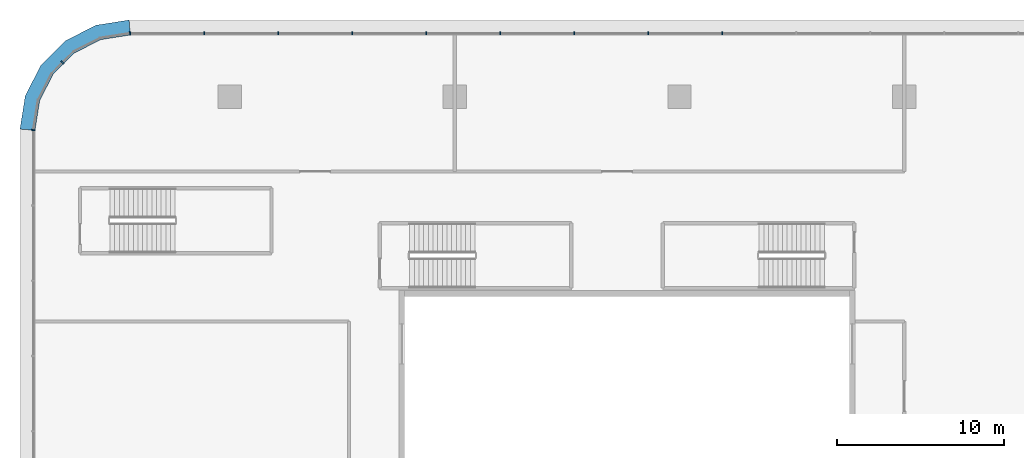
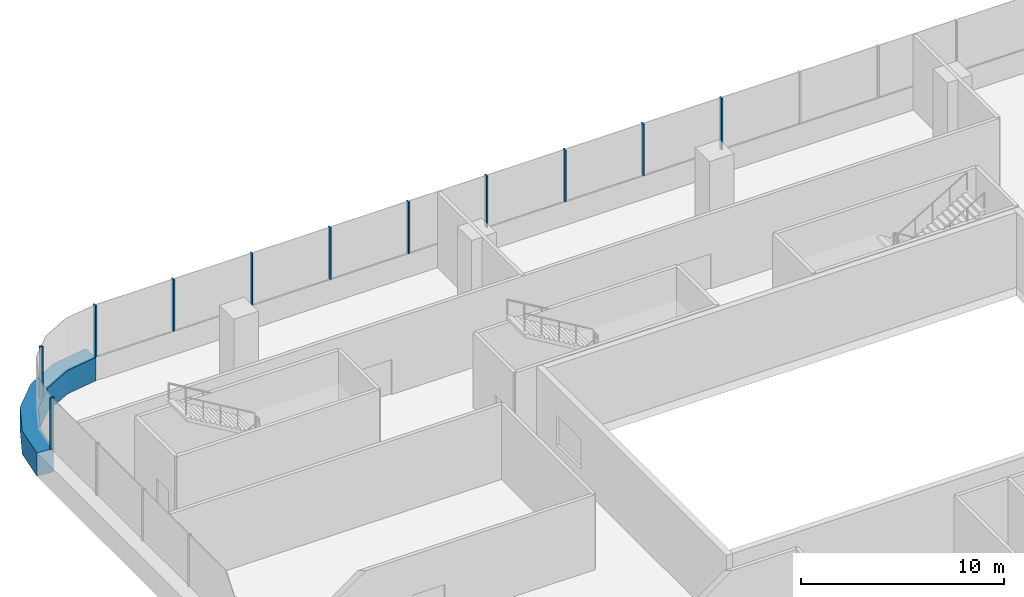
# One storey, part 11 of 44: 12 members, 3 elements without a shape of their own.
"""IFC4 building model written with IfcOpenShell, lengths in metres."""

from ifc_helpers import new_model, si_unit, direction, frame, origin, origin_2d, place, context, subcontext, project, spatial, polyline, rectangle, outline, extrude, material, layer, layer_set, material_profile, profile_set, type_object, element, aggregate, save


model = new_model("IFC4")

# Units and contexts
model_context = context("Model", 3, precision=1e-05, world=origin(), true_north=direction((0.0, 1.0)))
body_context = subcontext(model_context, "Body", "Model", "MODEL_VIEW")
ifc_project = project(units=[si_unit("LENGTHUNIT", "METRE"), si_unit("AREAUNIT", "SQUARE_METRE"), si_unit("VOLUMEUNIT", "CUBIC_METRE"), si_unit("PLANEANGLEUNIT", "RADIAN"), si_unit("MASSUNIT", "GRAM", prefix="KILO")], contexts=[model_context])

# Site, building, storey
site_placement = place(None, origin())
site = spatial("IfcSite", under=ifc_project, at=site_placement, CompositionType="ELEMENT")
building_placement = place(site_placement, origin())
building = spatial("IfcBuilding", under=site, at=building_placement, Name="Tamarind Cross Interchange Tower", CompositionType="ELEMENT")
storey_placement = place(building_placement, frame((0.0, 0.0, 15.0)))
storey = spatial("IfcBuildingStorey", under=building, at=storey_placement, Name="L02", CompositionType="ELEMENT", Elevation=15.0)

# Curtain wall, member
ifc_material_1 = material(Name="Aluminium 6063-T6", Category="aluminium")
ifc_layer = layer(ifc_material_1, 0.199951171875)
ifc_layer_set = layer_set([ifc_layer], Name="Aluminium 6063-T6")
curtain_wall_type = type_object("IfcCurtainWallType", Name="Podium shopfront and station curtain wall", PredefinedType="NOTDEFINED", material=ifc_layer_set)
curtain_wall_1_placement = place(storey_placement, origin())
curtain_wall_1 = element("IfcCurtainWall", 1, at=curtain_wall_1_placement, inside=storey, type_object=curtain_wall_type, Name="CWS-L02-03", PredefinedType="NOTDEFINED")
ifc_material_2 = material(Name="Aluminium and insulated spandrel panel", Category="aluminium")
member_type_1 = type_object("IfcMemberType", Name="Floor-edge blade transom", PredefinedType="USERDEFINED", material=ifc_material_2)
member_1_placement = place(storey_placement, origin())
member_1 = element("IfcMember", 2, at=member_1_placement, type_object=member_type_1, Name="CWT-L02-03", ObjectType="TRANSOM", PredefinedType="USERDEFINED", context=body_context, shape_type="SweptSolid", body=[
    extrude(outline(polyline([(-59.976318359375, 57.699951171875), (-61.76025390625, 57.41748046875), (-63.34814453125, 56.6083984375), (-64.6083984375, 55.34814453125), (-65.41748046875, 53.76025390625), (-65.699951171875, 51.976318359375), (-66.60009765625, 52.047119140625), (-66.2841796875, 54.041748046875), (-65.345458984375, 55.8837890625), (-63.8837890625, 57.345458984375), (-62.041748046875, 58.2841796875), (-60.047119140625, 58.60009765625), (-59.976318359375, 57.699951171875)])), origin(), (0.0, 0.0, 1.0), 1.39990234375),
])

# Curtain wall, members
curtain_wall_2_placement = place(storey_placement, origin())
curtain_wall_2 = element("IfcCurtainWall", 3, at=curtain_wall_2_placement, inside=storey, type_object=curtain_wall_type, Name="CWS-L02-02", PredefinedType="NOTDEFINED")
ifc_material_profile = material_profile(ifc_material_1, rectangle(XDim=0.080078125, YDim=0.199951171875, at=origin_2d()), Name="Mullion CW3")
ifc_profile_set = profile_set([ifc_material_profile], Name="Aluminium 6063-T6")
member_type_2 = type_object("IfcMemberType", Name="Mullion CW3", PredefinedType="MULLION", material=ifc_profile_set)
member_2_placement = place(storey_placement, frame((-24.43798828125, 57.800048828125, 1.39990234375), z_axis=(0.0, 0.0, 1.0), x_axis=(-1.0, 0.0, 0.0)))
member_2 = element("IfcMember", 4, at=member_2_placement, type_object=member_type_2, Name="CWM-L02-02-19", PredefinedType="MULLION", context=body_context, shape_type="SweptSolid", body=[
    extrude(rectangle(XDim=0.080078125, YDim=0.199951171875, at=origin_2d()), origin(), (0.0, 0.0, 1.0), 3.10009765625),
])
member_3_placement = place(storey_placement, frame((-28.88134765625, 57.800048828125, 1.39990234375), z_axis=(0.0, 0.0, 1.0), x_axis=(-1.0, 0.0, 0.0)))
member_3 = element("IfcMember", 5, at=member_3_placement, type_object=member_type_2, Name="CWM-L02-02-20", PredefinedType="MULLION", context=body_context, shape_type="SweptSolid", body=[
    extrude(rectangle(XDim=0.080078125, YDim=0.199951171875, at=origin_2d()), origin(), (0.0, 0.0, 1.0), 3.10009765625),
])
member_4_placement = place(storey_placement, frame((-33.32470703125, 57.800048828125, 1.39990234375), z_axis=(0.0, 0.0, 1.0), x_axis=(-1.0, 0.0, 0.0)))
member_4 = element("IfcMember", 6, at=member_4_placement, type_object=member_type_2, Name="CWM-L02-02-21", PredefinedType="MULLION", context=body_context, shape_type="SweptSolid", body=[
    extrude(rectangle(XDim=0.080078125, YDim=0.199951171875, at=origin_2d()), origin(), (0.0, 0.0, 1.0), 3.10009765625),
])
member_5_placement = place(storey_placement, frame((-37.767822265625, 57.800048828125, 1.39990234375), z_axis=(0.0, 0.0, 1.0), x_axis=(-1.0, 0.0, 0.0)))
member_5 = element("IfcMember", 7, at=member_5_placement, type_object=member_type_2, Name="CWM-L02-02-22", PredefinedType="MULLION", context=body_context, shape_type="SweptSolid", body=[
    extrude(rectangle(XDim=0.080078125, YDim=0.199951171875, at=origin_2d()), origin(), (0.0, 0.0, 1.0), 3.10009765625),
])
member_6_placement = place(storey_placement, frame((-42.211181640625, 57.800048828125, 1.39990234375), z_axis=(0.0, 0.0, 1.0), x_axis=(-1.0, 0.0, 0.0)))
member_6 = element("IfcMember", 8, at=member_6_placement, type_object=member_type_2, Name="CWM-L02-02-23", PredefinedType="MULLION", context=body_context, shape_type="SweptSolid", body=[
    extrude(rectangle(XDim=0.080078125, YDim=0.199951171875, at=origin_2d()), origin(), (0.0, 0.0, 1.0), 3.10009765625),
])
member_7_placement = place(storey_placement, frame((-46.654541015625, 57.800048828125, 1.39990234375), z_axis=(0.0, 0.0, 1.0), x_axis=(-1.0, 0.0, 0.0)))
member_7 = element("IfcMember", 9, at=member_7_placement, type_object=member_type_2, Name="CWM-L02-02-24", PredefinedType="MULLION", context=body_context, shape_type="SweptSolid", body=[
    extrude(rectangle(XDim=0.080078125, YDim=0.199951171875, at=origin_2d()), origin(), (0.0, 0.0, 1.0), 3.10009765625),
])
member_8_placement = place(storey_placement, frame((-51.09765625, 57.800048828125, 1.39990234375), z_axis=(0.0, 0.0, 1.0), x_axis=(-1.0, 0.0, 0.0)))
member_8 = element("IfcMember", 10, at=member_8_placement, type_object=member_type_2, Name="CWM-L02-02-25", PredefinedType="MULLION", context=body_context, shape_type="SweptSolid", body=[
    extrude(rectangle(XDim=0.080078125, YDim=0.199951171875, at=origin_2d()), origin(), (0.0, 0.0, 1.0), 3.10009765625),
])
member_9_placement = place(storey_placement, frame((-55.541015625, 57.800048828125, 1.39990234375), z_axis=(0.0, 0.0, 1.0), x_axis=(-1.0, 0.0, 0.0)))
member_9 = element("IfcMember", 11, at=member_9_placement, type_object=member_type_2, Name="CWM-L02-02-26", PredefinedType="MULLION", context=body_context, shape_type="SweptSolid", body=[
    extrude(rectangle(XDim=0.080078125, YDim=0.199951171875, at=origin_2d()), origin(), (0.0, 0.0, 1.0), 3.10009765625),
])
aggregate(curtain_wall_2, [member_2, member_3, member_4, member_5, member_6, member_7, member_8, member_9])

# Member
member_10_placement = place(storey_placement, frame((-59.984375, 57.800048828125, 1.39990234375), z_axis=(0.0, 0.0, 1.0), x_axis=(-0.996917333733, -0.078459095728, 0.0)))
member_10 = element("IfcMember", 12, at=member_10_placement, type_object=member_type_2, Name="CWM-L02-03-00", PredefinedType="MULLION", context=body_context, shape_type="SweptSolid", body=[
    extrude(rectangle(XDim=0.080078125, YDim=0.199951171875, at=origin_2d()), origin(), (0.0, 0.0, 1.0), 3.10009765625),
])

member_11_placement = place(storey_placement, frame((-64.049072265625, 56.049072265625, 1.39990234375), z_axis=(0.0, 0.0, 1.0), x_axis=(-0.707106781187, -0.707106781187, 0.0)))
member_11 = element("IfcMember", 13, at=member_11_placement, type_object=member_type_2, Name="CWM-L02-03-01", PredefinedType="MULLION", context=body_context, shape_type="SweptSolid", body=[
    extrude(rectangle(XDim=0.080078125, YDim=0.199951171875, at=origin_2d()), origin(), (0.0, 0.0, 1.0), 3.10009765625),
])

aggregate(curtain_wall_1, [member_10, member_11, member_1])

# Curtain wall, member
curtain_wall_3_placement = place(storey_placement, origin())
curtain_wall_3 = element("IfcCurtainWall", 14, at=curtain_wall_3_placement, inside=storey, type_object=curtain_wall_type, Name="CWS-L02-04", PredefinedType="NOTDEFINED")
member_12_placement = place(storey_placement, frame((-65.800048828125, 51.984375, 1.39990234375), z_axis=(0.0, 0.0, 1.0), x_axis=(-0.078459095728, -0.996917333733, 0.0)))
member_12 = element("IfcMember", 15, at=member_12_placement, type_object=member_type_2, Name="CWM-L02-04-00", PredefinedType="MULLION", context=body_context, shape_type="SweptSolid", body=[
    extrude(rectangle(XDim=0.080078125, YDim=0.199951171875, at=origin_2d()), origin(), (0.0, 0.0, 1.0), 3.10009765625),
])
aggregate(curtain_wall_3, [member_12])

save(model, "model.ifc")
